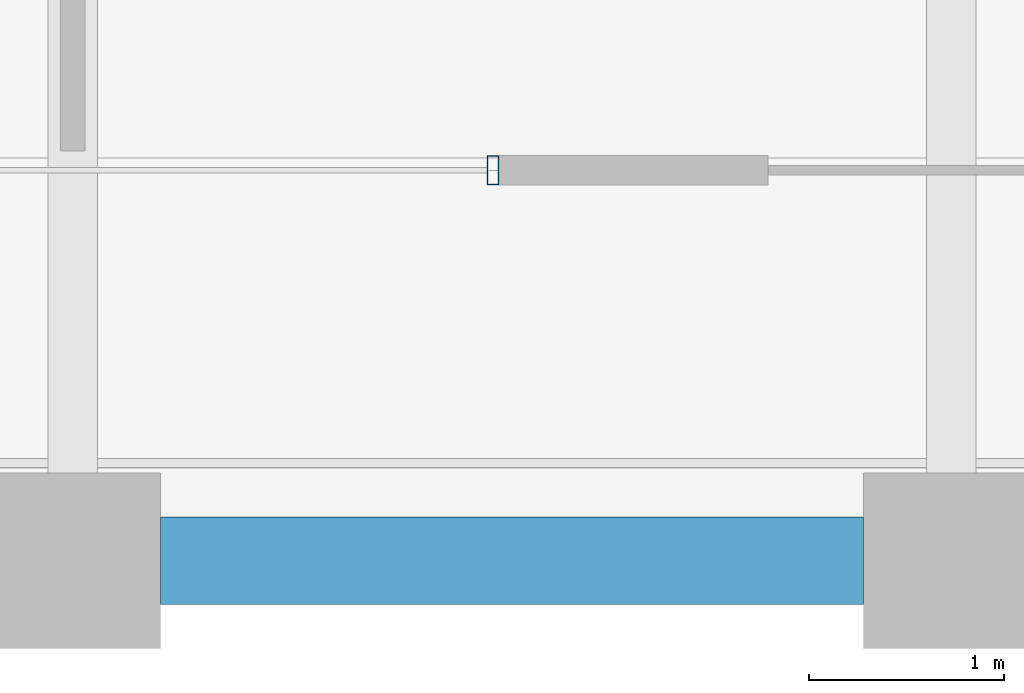
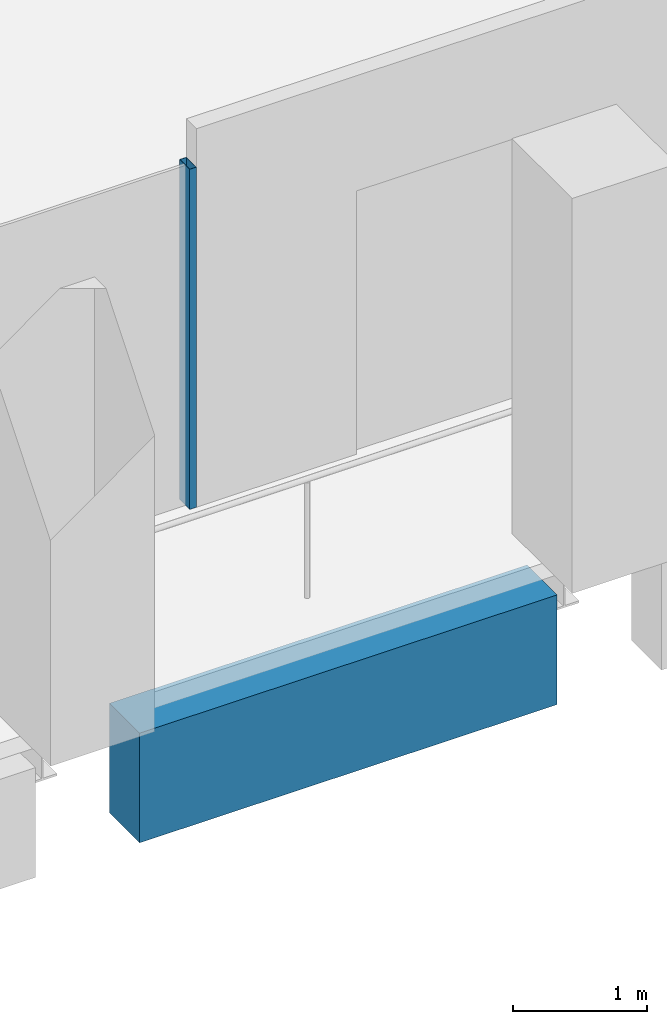
# One storey, part 7 of 40: 1 beam, 1 member, 1 element without a shape of its own.
"""IFC4 building model written with IfcOpenShell, lengths in metres."""

from ifc_helpers import new_model, si_unit, direction, frame, origin, origin_2d, place, context, subcontext, project, spatial, rectangle, hollow_rectangle, extrude, material, material_profile, profile_set, type_object, element, aggregate, save


model = new_model("IFC4")

# Units and contexts
model_context = context("Model", 3, precision=1e-05, world=origin(), true_north=direction((0.0, 1.0)))
body_context = subcontext(model_context, "Body", "Model", "MODEL_VIEW")
ifc_project = project(units=[si_unit("LENGTHUNIT", "METRE"), si_unit("AREAUNIT", "SQUARE_METRE"), si_unit("VOLUMEUNIT", "CUBIC_METRE"), si_unit("PLANEANGLEUNIT", "RADIAN"), si_unit("MASSUNIT", "GRAM", prefix="KILO")], contexts=[model_context])

# Site, building, storey
site_placement = place(None, origin())
site = spatial("IfcSite", under=ifc_project, at=site_placement, CompositionType="ELEMENT")
building_placement = place(site_placement, origin())
building = spatial("IfcBuilding", under=site, at=building_placement, Name="Altepetl Exchange Towers", CompositionType="ELEMENT")
storey_placement = place(building_placement, frame((0.0, 0.0, 158.199951171875)))
storey = spatial("IfcBuildingStorey", under=building, at=storey_placement, Name="L39", CompositionType="ELEMENT", Elevation=158.199951171875)

# Curtain wall, member
ifc_material_1 = material(Name="Aluminium 6063-T6 glazing", Category="aluminium")
curtain_wall_type = type_object("IfcCurtainWallType", Name="Loggia glazing system", PredefinedType="NOTDEFINED", material=ifc_material_1)
curtain_wall_placement = place(storey_placement, origin())
curtain_wall = element("IfcCurtainWall", 1, at=curtain_wall_placement, inside=storey, type_object=curtain_wall_type, Name="CW1 run", PredefinedType="NOTDEFINED")
ifc_material_2 = material(Name="Aluminium 6063-T6", Category="aluminium")
ifc_material_profile_1 = material_profile(ifc_material_2, hollow_rectangle(XDim=0.06005859375, YDim=0.14990234375, WallThickness=0.0029296875, at=origin_2d()), Name="Mullion 60x150 aluminium")
ifc_profile_set_1 = profile_set([ifc_material_profile_1], Name="Aluminium 6063-T6")
member_type = type_object("IfcMemberType", Name="Mullion 60x150 aluminium", PredefinedType="MULLION", material=ifc_profile_set_1)
member_placement = place(storey_placement, frame((47.152099609375, 29.0, 0.0)))
member = element("IfcMember", 2, at=member_placement, type_object=member_type, Name="MU1 mullion", PredefinedType="MULLION", context=body_context, shape_type="SweptSolid", body=[
    extrude(hollow_rectangle(XDim=0.06005859375, YDim=0.14990234375, WallThickness=0.0029296875, at=origin_2d()), origin(), (0.0, 0.0, 1.0), 3.10009765625),
])
aggregate(curtain_wall, [member])

# Beam
ifc_material_3 = material(Name="Concrete C50/60 precast with cantera blanca facing", Category="concrete")
ifc_material_profile_2 = material_profile(ifc_material_3, rectangle(XDim=0.449951171875, YDim=1.0, at=origin_2d()), Name="450 x 1000")
ifc_profile_set_2 = profile_set([ifc_material_profile_2], Name="Concrete C50/60 precast with cantera blanca facing")
beam_type = type_object("IfcBeamType", Name="Spandrel beam 450x1000 cantera blanca", PredefinedType="SPANDREL", material=ifc_profile_set_2)
beam_placement = place(storey_placement, frame((45.449951171875, 27.0, -0.64990234375), z_axis=(1.0, 0.0, 0.0), x_axis=(0.0, 1.0, 0.0)))
element("IfcBeam", 3, at=beam_placement, inside=storey, type_object=beam_type, Name="sp:A:L39:003", PredefinedType="SPANDREL", context=body_context, shape_type="SweptSolid", body=[
    extrude(rectangle(XDim=0.449951171875, YDim=1.0, at=origin_2d()), origin(), (0.0, 0.0, 1.0), 3.60009765625),
])

save(model, "model.ifc")
